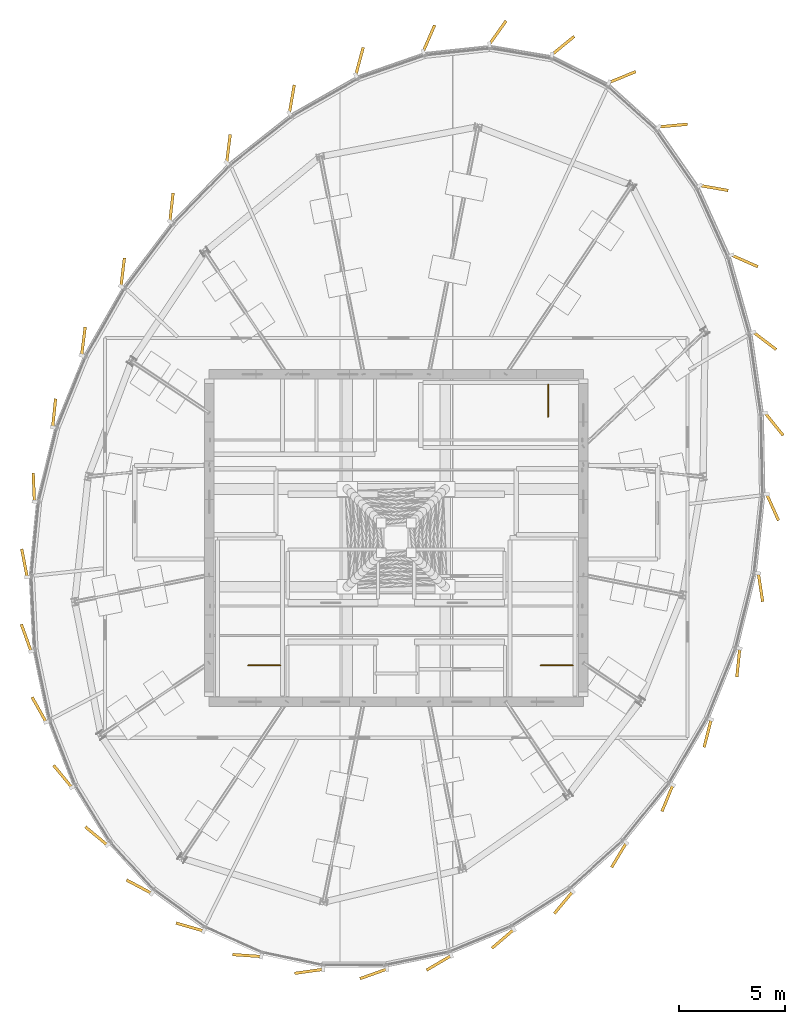
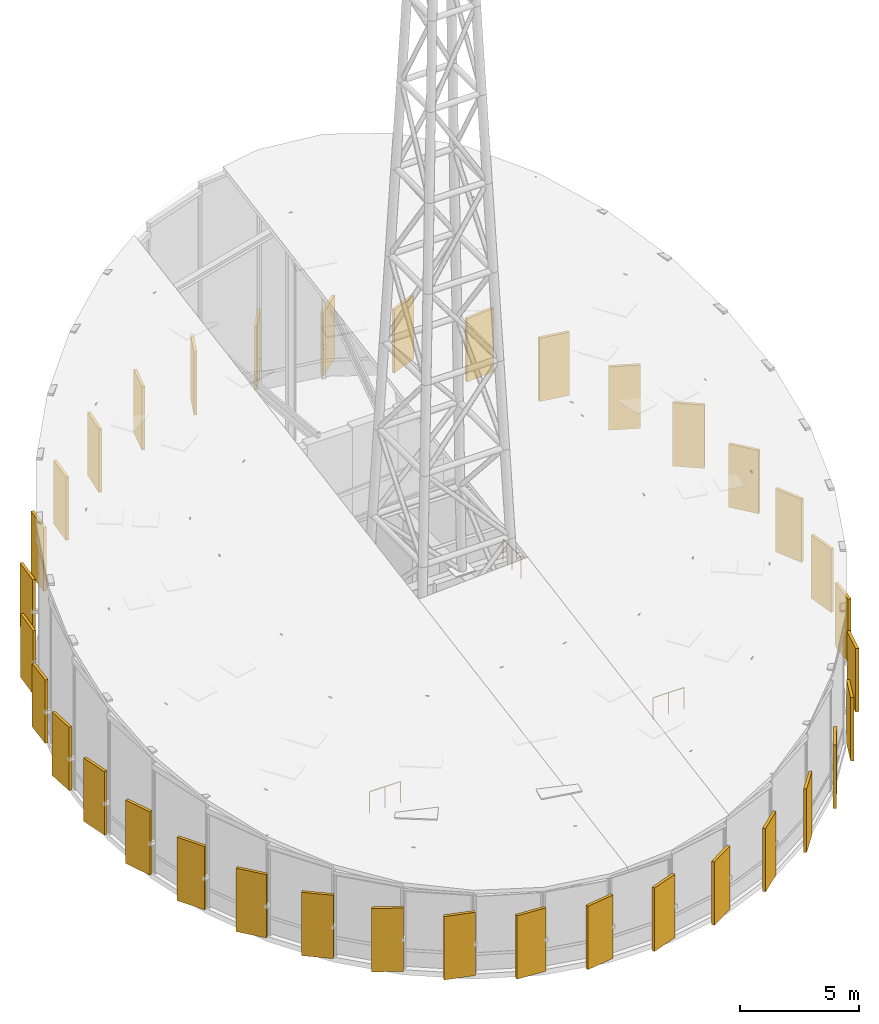
# One storey, part 36 of 36: 36 coverings, 3 railings.
"""IFC4 building model written with IfcOpenShell, lengths in metres."""

from ifc_helpers import new_model, si_unit, direction, frame, origin, origin_2d, place, context, subcontext, project, spatial, rectangle, circle, extrude, source, transform, mapped, material, layer, layer_set, type_object, element, save


model = new_model("IFC4")

# Units and contexts
model_context = context("Model", 3, precision=1e-05, world=origin(), true_north=direction((0.0, 1.0)))
body_context = subcontext(model_context, "Body", "Model", "MODEL_VIEW")
ifc_project = project(units=[si_unit("LENGTHUNIT", "METRE"), si_unit("AREAUNIT", "SQUARE_METRE"), si_unit("VOLUMEUNIT", "CUBIC_METRE"), si_unit("PLANEANGLEUNIT", "RADIAN"), si_unit("MASSUNIT", "GRAM", prefix="KILO"), si_unit("THERMODYNAMICTEMPERATUREUNIT", "KELVIN")], contexts=[model_context])

# Site, building, storey
site_placement = place(None, origin())
site = spatial("IfcSite", under=ifc_project, at=site_placement, CompositionType="ELEMENT")
building_placement = place(site_placement, origin())
building = spatial("IfcBuilding", under=site, at=building_placement, Name="Kethvar Cultural Tower", CompositionType="ELEMENT")
storey_placement = place(building_placement, frame((0.0, 0.0, 324.300048828125)))
storey = spatial("IfcBuildingStorey", under=building, at=storey_placement, Name="L86", CompositionType="ELEMENT", Elevation=324.300048828125)

# Railings
ifc_material_1 = material(Name="Steel S355J2", Category="steel")
railing_type = type_object("IfcRailingType", Name="RL-STAIR-GUARD", PredefinedType="BALUSTRADE", material=ifc_material_1)
for number, where, name in (
    (1, (41.35009765625, 21.800048828125, 0.0), "L86 ST-01 top well guard 1"),
    (2, (55.110107421875, 21.800048828125, 0.0), "L86 ST-02 top well guard 1"),
):
    element("IfcRailing", number, at=place(storey_placement, frame(where)), inside=storey, type_object=railing_type, Name=name, PredefinedType="BALUSTRADE", context=body_context, shape_type="SweptSolid", body=[
        extrude(circle(Radius=0.02392578125, at=origin_2d()), frame((0.0, 0.0, 1.09619140625), z_axis=(-1.0, 0.0, 0.0), x_axis=(0.0, -1.0, 0.0)), (0.0, 0.0, 1.0), 1.510009765625),
        extrude(circle(Radius=0.02099609375, at=origin_2d()), origin(), (0.0, 0.0, 1.0), 1.072021484375),
        extrude(circle(Radius=0.02099609375, at=origin_2d()), frame((-0.7548828125, 0.0, 0.0)), (0.0, 0.0, 1.0), 1.072021484375),
        extrude(circle(Radius=0.02099609375, at=origin_2d()), frame((-1.510009765625, 0.0, 0.0)), (0.0, 0.0, 1.0), 1.072021484375),
    ])
railing_placement = place(storey_placement, frame((53.949951171875, 35.010009765625, 0.0)))
element("IfcRailing", 3, at=railing_placement, inside=storey, type_object=railing_type, Name="L86 ST-03 top well guard 1", PredefinedType="BALUSTRADE", context=body_context, shape_type="SweptSolid", body=[
    extrude(circle(Radius=0.02392578125, at=origin_2d()), frame((0.0, 0.0, 1.09619140625), z_axis=(0.0, -1.0, 0.0), x_axis=(1.0, 0.0, 0.0)), (0.0, 0.0, 1.0), 1.510009765625),
    extrude(circle(Radius=0.02099609375, at=origin_2d()), origin(), (0.0, 0.0, 1.0), 1.072021484375),
    extrude(circle(Radius=0.02099609375, at=origin_2d()), frame((0.0, -0.7548828125, 0.0)), (0.0, 0.0, 1.0), 1.072021484375),
    extrude(circle(Radius=0.02099609375, at=origin_2d()), frame((0.0, -1.510009765625, 0.0)), (0.0, 0.0, 1.0), 1.072021484375),
])

# Coverings
ifc_material_2 = material(Name="Extruded Architectural Terracotta", Category="masonry")
ifc_layer = layer(ifc_material_2, 0.135009765625, Name="Extruded Architectural Terracotta", Category="masonry")
ifc_layer_set = layer_set([ifc_layer], Name="Extruded Architectural Terracotta (135 mm)")
covering_type = type_object("IfcCoveringType", Name="Terracotta Facade Fin FIN-03", PredefinedType="CLADDING", material=ifc_layer_set)
shared_shape = source(origin(), body_context, "Body", "SweptSolid", [
    extrude(rectangle(XDim=1.35009765625, YDim=0.135009765625, at=origin_2d()), origin(), (0.0, 0.0, 1.0), 3.25),
])
for number, where, z_axis, x_axis, name in (
    (4, (54.6533203125, 50.961669921875, 0.02001953125), (0.0, 0.0, 1.0), (0.774503060199, 0.632570161913, 0.0), "L86 Vertical Terracotta Fin 1.1"),
    (5, (51.575439453125, 51.568115234375, 0.02001953125), (0.0, 0.0, 1.0), (0.58027660624, 0.814419462102, 0.0), "L86 Vertical Terracotta Fin 2.1"),
    (6, (48.338623046875, 51.294921875, 0.02001953125), (0.0, 0.0, 1.0), (0.398909120029, 0.916990465576, 0.0), "L86 Vertical Terracotta Fin 3.1"),
    (7, (45.070556640625, 50.214111328125, 0.02001953125), (0.0, 0.0, 1.0), (0.26084150629, 0.965381638833, 0.0), "L86 Vertical Terracotta Fin 4.1"),
    (8, (41.8896484375, 48.43994140625, 0.02001953125), (0.0, 0.0, 1.0), (0.171241322388, 0.985229115235, 0.0), "L86 Vertical Terracotta Fin 5.1"),
    (9, (38.908203125, 46.105712890625, 0.02001953125), (0.0, 0.0, 1.0), (0.125506388335, 0.992092811428, 0.0), "L86 Vertical Terracotta Fin 6.1"),
    (10, (36.228759765625, 43.34814453125, 0.02001953125), (0.0, 0.0, 1.0), (0.113723431234, 0.993512446418, 0.0), "L86 Vertical Terracotta Fin 7.1"),
    (11, (33.934814453125, 40.2939453125, 0.02001953125), (0.0, 0.0, 1.0), (0.120656628871, 0.992694302346, 0.0), "L86 Vertical Terracotta Fin 8.1"),
    (12, (32.0859375, 37.0458984375, 0.02001953125), (0.0, 0.0, 1.0), (0.125852686403, 0.992048940993, 0.0), "L86 Vertical Terracotta Fin 9.1"),
    (13, (30.709716796875, 33.671875, 0.02001953125), (0.0, 0.0, 1.0), (0.102792536787, 0.994702817117, 0.0), "L86 Vertical Terracotta Fin 10.1"),
    (14, (29.754150390625, 30.178466796875, 0.02001953125), (0.0, 0.0, 1.0), (-0.041701273262, 0.999130123562, 0.0), "L86 Vertical Terracotta Fin 11.1"),
    (15, (29.31298828125, 26.618408203125, 0.02001953125), (0.0, 0.0, 1.0), (-0.189438199716, 0.981892646112, 0.0), "L86 Vertical Terracotta Fin 12.1"),
    (16, (29.3974609375, 23.096923828125, 0.02001953125), (0.0, 0.0, 1.0), (-0.339723022369, 0.940525527603, 0.0), "L86 Vertical Terracotta Fin 13.1"),
    (17, (30.003662109375, 19.71826171875, 0.02001953125), (0.0, 0.0, 1.0), (-0.489991151644, 0.871727406539, 0.0), "L86 Vertical Terracotta Fin 14.1"),
    (18, (31.114013671875, 16.581298828125, 0.02001953125), (0.0, 0.0, 1.0), (-0.636078220278, 0.771624583388, 0.0), "L86 Vertical Terracotta Fin 15.1"),
    (19, (32.69677734375, 13.77783203125, 0.02001953125), (0.0, 0.0, 1.0), (-0.77017938275, 0.637827342144, 0.0), "L86 Vertical Terracotta Fin 16.1"),
    (20, (34.70849609375, 11.3916015625, 0.02001953125), (0.0, 0.0, 1.0), (-0.882126866018, 0.471011881219, 0.0), "L86 Vertical Terracotta Fin 17.1"),
    (21, (37.09326171875, 9.49609375, 0.02001953125), (0.0, 0.0, 1.0), (-0.960827540061, 0.277146961483, 0.0), "L86 Vertical Terracotta Fin 18.1"),
    (22, (39.78125, 8.15380859375, 0.02001953125), (0.0, 0.0, 1.0), (-0.997672392732, 0.068189418384, 0.0), "L86 Vertical Terracotta Fin 19.1"),
    (23, (42.691650390625, 7.410888671875, 0.02001953125), (0.0, 0.0, 1.0), (-0.990023657717, -0.140901231938, 0.0), "L86 Vertical Terracotta Fin 20.1"),
    (24, (45.732666015625, 7.29443359375, 0.02001953125), (0.0, 0.0, 1.0), (-0.941881681629, -0.335944783874, 0.0), "L86 Vertical Terracotta Fin 21.1"),
    (25, (48.807373046875, 7.809814453125, 0.02001953125), (0.0, 0.0, 1.0), (-0.861629160442, -0.507538362961, 0.0), "L86 Vertical Terracotta Fin 22.1"),
    (26, (51.817626953125, 8.9404296875, 0.02001953125), (0.0, 0.0, 1.0), (-0.758589401976, -0.651568967347, 0.0), "L86 Vertical Terracotta Fin 23.1"),
    (27, (54.66943359375, 10.6484375, 0.02001953125), (0.0, 0.0, 1.0), (-0.640913892983, -0.767612781148, 0.0), "L86 Vertical Terracotta Fin 24.1"),
    (28, (57.275634765625, 12.87841796875, 0.02001953125), (0.0, 0.0, 1.0), (-0.513840741921, -0.857885593737, 0.0), "L86 Vertical Terracotta Fin 25.1"),
    (29, (59.55712890625, 15.559326171875, 0.02001953125), (0.0, 0.0, 1.0), (-0.380909006823, -0.924612528858, 0.0), "L86 Vertical Terracotta Fin 26.1"),
    (30, (61.447265625, 18.607177734375, 0.02001953125), (0.0, 0.0, 1.0), (-0.243615011786, -0.969872015285, 0.0), "L86 Vertical Terracotta Fin 27.1"),
    (31, (62.89013671875, 21.92822265625, 0.02001953125), (0.0, 0.0, 1.0), (-0.102966143613, -0.994684861285, 0.0), "L86 Vertical Terracotta Fin 28.1"),
    (32, (63.933349609375, 25.46630859375, 0.02001953125), (0.0, 0.0, 1.0), (0.152468380166, -0.988308349175, 0.0), "L86 Vertical Terracotta Fin 29.1"),
    (33, (64.503662109375, 29.23388671875, 0.02001953125), (0.0, 0.0, 1.0), (0.408011796273, -0.912976655837, 0.0), "L86 Vertical Terracotta Fin 30.1"),
    (34, (64.574951171875, 33.1455078125, 0.02001953125), (0.0, 0.0, 1.0), (0.627011785857, -0.779009769128, 0.0), "L86 Vertical Terracotta Fin 31.1"),
    (35, (64.13671875, 37.0634765625, 0.02001953125), (0.0, 0.0, 1.0), (0.796002002535, -0.605293988043, 0.0), "L86 Vertical Terracotta Fin 32.1"),
    (36, (63.191650390625, 40.823974609375, 0.02001953125), (0.0, 0.0, 1.0), (0.915030085855, -0.40338559962, 0.0), "L86 Vertical Terracotta Fin 33.1"),
    (37, (61.749267578125, 44.255615234375, 0.02001953125), (0.0, 0.0, 1.0), (0.985019169256, -0.172444878725, 0.0), "L86 Vertical Terracotta Fin 34.1"),
    (38, (59.823486328125, 47.191650390625, 0.02001953125), (0.0, 0.0, 1.0), (0.995756880939, 0.092023008338, 0.0), "L86 Vertical Terracotta Fin 35.1"),
    (39, (57.439208984375, 49.473876953125, 0.02001953125), (0.0, 0.0, 1.0), (0.926659901464, 0.375900820721, 0.0), "L86 Vertical Terracotta Fin 36.1"),
):
    element("IfcCovering", number, at=place(storey_placement, frame(where, z_axis=z_axis, x_axis=x_axis)), inside=storey, type_object=covering_type, Name=name, PredefinedType="CLADDING", context=body_context, shape_type="MappedRepresentation", body=[
        mapped(shared_shape, transform((0.0, 0.0, 0.0), scale=1.0)),
    ])

save(model, "model.ifc")
